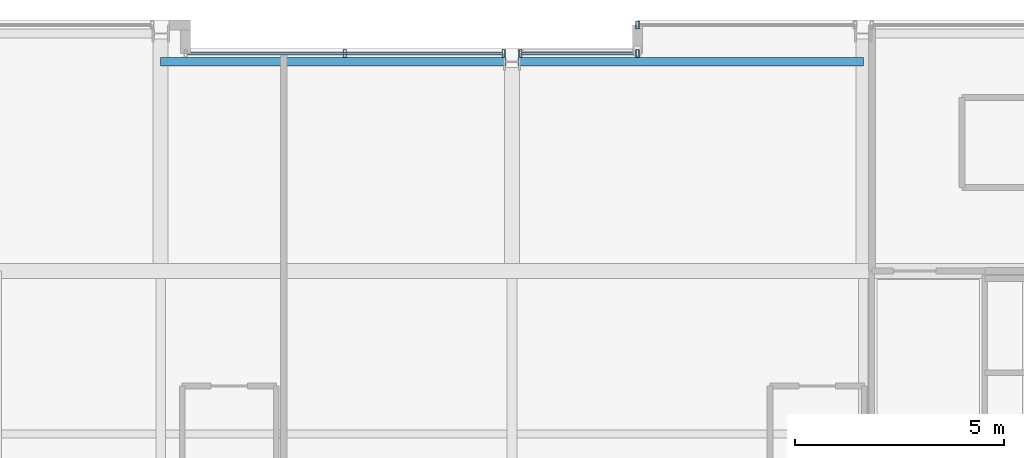
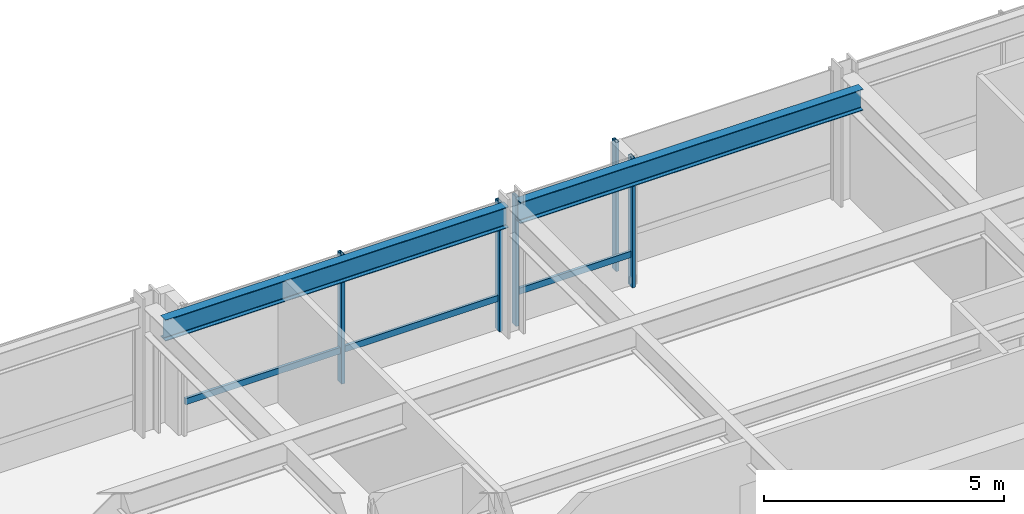
# One storey, part 22 of 33: 7 members, 2 beams, 3 elements without a shape of their own.
"""IFC4 building model written with IfcOpenShell, lengths in metres."""

from ifc_helpers import new_model, si_unit, direction, frame, origin, origin_2d, place, context, subcontext, project, spatial, hollow_rectangle, i_section, extrude, material, layer, layer_set, material_profile, profile_set, type_object, element, aggregate, save


model = new_model("IFC4")

# Units and contexts
model_context = context("Model", 3, precision=1e-05, world=origin(), true_north=direction((0.0, 1.0)))
body_context = subcontext(model_context, "Body", "Model", "MODEL_VIEW")
ifc_project = project(units=[si_unit("LENGTHUNIT", "METRE"), si_unit("AREAUNIT", "SQUARE_METRE"), si_unit("VOLUMEUNIT", "CUBIC_METRE"), si_unit("PLANEANGLEUNIT", "RADIAN"), si_unit("MASSUNIT", "GRAM", prefix="KILO")], contexts=[model_context])

# Site, building, storey
site_placement = place(None, origin())
site = spatial("IfcSite", under=ifc_project, at=site_placement, CompositionType="ELEMENT")
building_placement = place(site_placement, origin())
building = spatial("IfcBuilding", under=site, at=building_placement, Name="Drelvath Grand Hotel", CompositionType="ELEMENT")
storey_placement = place(building_placement, frame((0.0, 0.0, 168.14990234375)))
storey = spatial("IfcBuildingStorey", under=building, at=storey_placement, Name="L43", CompositionType="ELEMENT", Elevation=168.14990234375)

# Curtain wall, member
ifc_material_1 = material(Name="Brushed Pale-Silver Anodised Aluminium Frame", Category="aluminium")
ifc_layer = layer(ifc_material_1, 0.199951171875)
ifc_layer_set = layer_set([ifc_layer], Name="Brushed Pale-Silver Anodised Aluminium Frame")
curtain_wall_type = type_object("IfcCurtainWallType", Name="Stick Curtain Wall CW-04 Brushed Silver Upper-Mid", PredefinedType="NOTDEFINED", material=ifc_layer_set)
curtain_wall_1_placement = place(storey_placement, origin())
curtain_wall_1 = element("IfcCurtainWall", 1, at=curtain_wall_1_placement, inside=storey, type_object=curtain_wall_type, Name="L43 CW-04 Curtain Wall CW04-L43-NM1", PredefinedType="NOTDEFINED")
ifc_material_profile_1 = material_profile(ifc_material_1, hollow_rectangle(XDim=0.06494140625, YDim=0.159912109375, WallThickness=0.00390625, at=origin_2d()), Name="HSS160X65X4")
ifc_profile_set_1 = profile_set([ifc_material_profile_1], Name="Brushed Pale-Silver Anodised Aluminium Frame")
member_type_1 = type_object("IfcMemberType", Name="Curtain Wall Horizontal Transom CW-04 HSS160X65X4", PredefinedType="USERDEFINED", material=ifc_profile_set_1)
member_1_placement = place(storey_placement, frame((-7.760009765625, 48.39990234375, 0.822509765625), z_axis=(1.0, 0.0, 0.0), x_axis=(0.0, 1.0, 0.0)))
member_1 = element("IfcMember", 2, at=member_1_placement, type_object=member_type_1, Name="CW04-L43-NM1 Sill Transom", ObjectType="TRANSOM", PredefinedType="USERDEFINED", context=body_context, shape_type="SweptSolid", body=[
    extrude(hollow_rectangle(XDim=0.06494140625, YDim=0.159912109375, WallThickness=0.00390625, at=origin_2d()), origin(), (0.0, 0.0, 1.0), 7.52001953125),
])

curtain_wall_2_placement = place(storey_placement, origin())
curtain_wall_2 = element("IfcCurtainWall", 3, at=curtain_wall_2_placement, inside=storey, type_object=curtain_wall_type, Name="L43 CW-04 Curtain Wall CW04-L43-NM2", PredefinedType="NOTDEFINED")
member_2_placement = place(storey_placement, frame((0.239990234375, 48.39990234375, 0.822509765625), z_axis=(1.0, 0.0, 0.0), x_axis=(0.0, 1.0, 0.0)))
member_2 = element("IfcMember", 4, at=member_2_placement, type_object=member_type_1, Name="CW04-L43-NM2 Sill Transom", ObjectType="TRANSOM", PredefinedType="USERDEFINED", context=body_context, shape_type="SweptSolid", body=[
    extrude(hollow_rectangle(XDim=0.06494140625, YDim=0.159912109375, WallThickness=0.00390625, at=origin_2d()), origin(), (0.0, 0.0, 1.0), 2.719970703125),
])

# Member
ifc_material_profile_2 = material_profile(ifc_material_1, hollow_rectangle(XDim=0.074951171875, YDim=0.179931640625, WallThickness=0.0048828125, at=origin_2d()), Name="HSS180X75X5")
ifc_profile_set_2 = profile_set([ifc_material_profile_2], Name="Brushed Pale-Silver Anodised Aluminium Frame")
member_type_2 = type_object("IfcMemberType", Name="Curtain Wall Vertical Mullion CW-04 HSS180X75X5", PredefinedType="MULLION", material=ifc_profile_set_2)
member_3_placement = place(storey_placement, frame((-4.0, 48.39990234375, 0.0), z_axis=(0.0, 0.0, 1.0), x_axis=(1.0, 0.0, 0.0)))
member_3 = element("IfcMember", 5, at=member_3_placement, type_object=member_type_2, Name="CW04-L43-NM1 Mullion 2", PredefinedType="MULLION", context=body_context, shape_type="SweptSolid", body=[
    extrude(hollow_rectangle(XDim=0.074951171875, YDim=0.179931640625, WallThickness=0.0048828125, at=origin_2d()), origin(), (0.0, 0.0, 1.0), 3.2900390625),
])

member_4_placement = place(storey_placement, frame((-0.2001953125, 48.39990234375, 0.0), z_axis=(0.0, 0.0, 1.0), x_axis=(1.0, 0.0, 0.0)))
member_4 = element("IfcMember", 6, at=member_4_placement, type_object=member_type_2, Name="CW04-L43-NM1 Mullion 3", PredefinedType="MULLION", context=body_context, shape_type="SweptSolid", body=[
    extrude(hollow_rectangle(XDim=0.074951171875, YDim=0.179931640625, WallThickness=0.0048828125, at=origin_2d()), origin(), (0.0, 0.0, 1.0), 3.2900390625),
])

aggregate(curtain_wall_1, [member_3, member_4, member_1])

member_5_placement = place(storey_placement, frame((0.2001953125, 48.39990234375, 0.0), z_axis=(0.0, 0.0, 1.0), x_axis=(1.0, 0.0, 0.0)))
member_5 = element("IfcMember", 7, at=member_5_placement, type_object=member_type_2, Name="CW04-L43-NM2 Mullion 1", PredefinedType="MULLION", context=body_context, shape_type="SweptSolid", body=[
    extrude(hollow_rectangle(XDim=0.074951171875, YDim=0.179931640625, WallThickness=0.0048828125, at=origin_2d()), origin(), (0.0, 0.0, 1.0), 3.2900390625),
])

member_6_placement = place(storey_placement, frame((3.0, 48.39990234375, 0.0), z_axis=(0.0, 0.0, 1.0), x_axis=(1.0, 0.0, 0.0)))
member_6 = element("IfcMember", 8, at=member_6_placement, type_object=member_type_2, Name="CW04-L43-NM2 Mullion 2", PredefinedType="MULLION", context=body_context, shape_type="SweptSolid", body=[
    extrude(hollow_rectangle(XDim=0.074951171875, YDim=0.179931640625, WallThickness=0.0048828125, at=origin_2d()), origin(), (0.0, 0.0, 1.0), 3.2900390625),
])

aggregate(curtain_wall_2, [member_5, member_6, member_2])

# Curtain wall, member
curtain_wall_3_placement = place(storey_placement, origin())
curtain_wall_3 = element("IfcCurtainWall", 9, at=curtain_wall_3_placement, inside=storey, type_object=curtain_wall_type, Name="L43 CW-04 Curtain Wall CW04-L43-NE1", PredefinedType="NOTDEFINED")
member_7_placement = place(storey_placement, frame((3.0, 49.080078125, 0.0), z_axis=(0.0, 0.0, 1.0), x_axis=(1.0, 0.0, 0.0)))
member_7 = element("IfcMember", 10, at=member_7_placement, type_object=member_type_2, Name="CW04-L43-NE1 Mullion 1", PredefinedType="MULLION", context=body_context, shape_type="SweptSolid", body=[
    extrude(hollow_rectangle(XDim=0.074951171875, YDim=0.179931640625, WallThickness=0.0048828125, at=origin_2d()), origin(), (0.0, 0.0, 1.0), 3.2900390625),
])
aggregate(curtain_wall_3, [member_7])

# Beams
ifc_material_2 = material(Name="Steel ASTM A992 Gr 50", Category="steel")
ifc_material_profile_3 = material_profile(ifc_material_2, i_section(OverallWidth=0.210205078125, OverallDepth=0.53662109375, WebThickness=0.010986328125, FlangeThickness=0.017333984375, FilletRadius=0.01806640625, at=origin_2d()), Name="W21X68")
ifc_profile_set_3 = profile_set([ifc_material_profile_3], Name="Steel ASTM A992 Gr 50")
beam_type = type_object("IfcBeamType", Name="Perimeter Spandrel Beam W21X68", PredefinedType="SPANDREL", material=ifc_profile_set_3)
for number, where, z_axis, x_axis, name in (
    (11, (-8.39990234375, 48.199951171875, 3.021728515625), (1.0, 0.0, 0.0), (0.0, 1.0, 0.0), "L43 Spandrel North Mid W"),
    (12, (0.139892578125, 48.199951171875, 3.021728515625), (1.0, 0.0, 0.0), (0.0, 1.0, 0.0), "L43 Spandrel North Mid E"),
):
    element("IfcBeam", number, at=place(storey_placement, frame(where, z_axis=z_axis, x_axis=x_axis)), inside=storey, type_object=beam_type, Name=name, PredefinedType="SPANDREL", context=body_context, shape_type="SweptSolid", body=[
        extrude(i_section(OverallWidth=0.210205078125, OverallDepth=0.53662109375, WebThickness=0.010986328125, FlangeThickness=0.017333984375, FilletRadius=0.01806640625, at=origin_2d()), origin(), (0.0, 0.0, 1.0), 8.260009765625),
    ])

save(model, "model.ifc")
